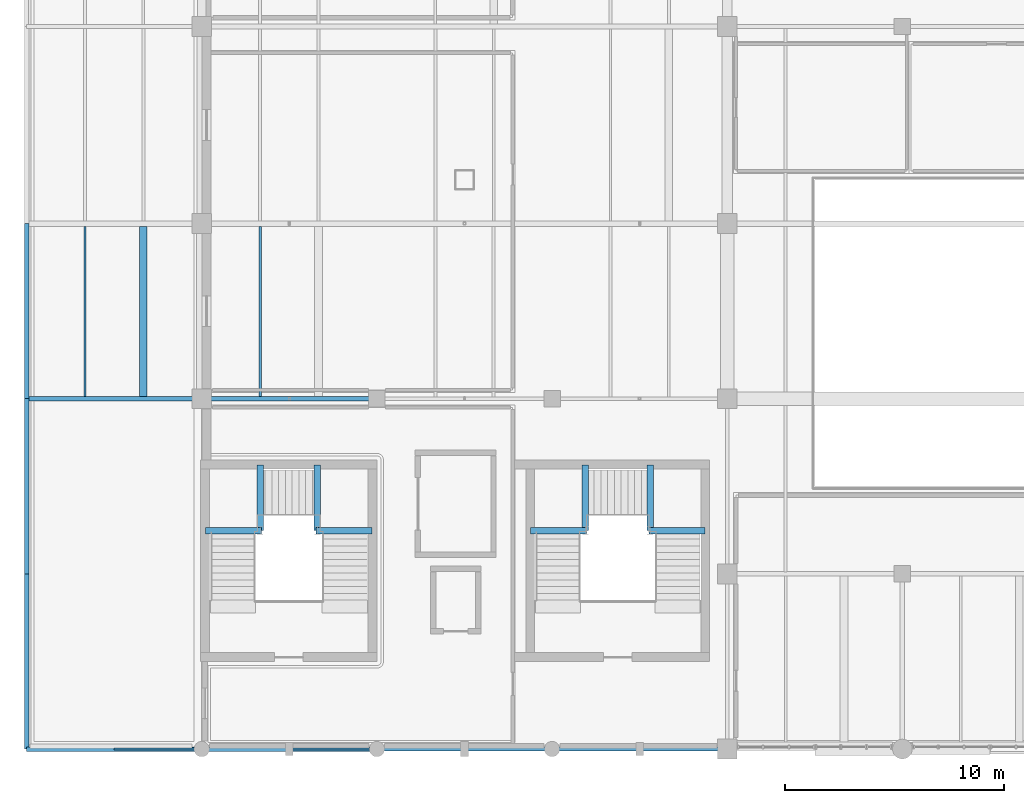
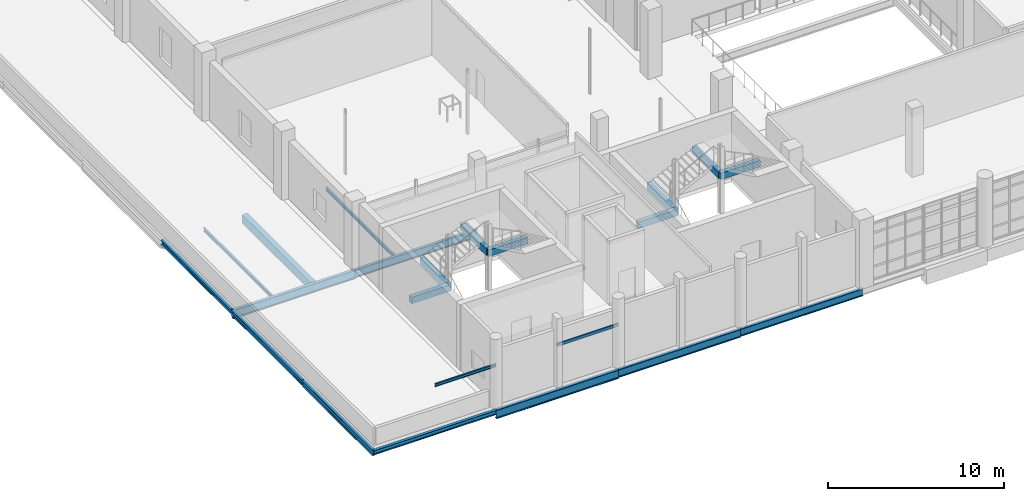
# One storey, part 13 of 127: 22 beams.
"""IFC4 building model written with IfcOpenShell, lengths in metres."""

from ifc_helpers import new_model, si_unit, derived_unit, direction, frame, origin, origin_2d, place, context, subcontext, project, spatial, rectangle, hollow_rectangle, i_section, extrude, material, material_profile, profile_set, type_object, element, save


model = new_model("IFC4")

# Units and contexts
model_context = context("Model", 3, precision=1e-05, world=origin(), true_north=direction((0.0, 1.0)))
body_context = subcontext(model_context, "Body", "Model", "MODEL_VIEW")
ifc_project = project(units=[si_unit("LENGTHUNIT", "METRE"), si_unit("AREAUNIT", "SQUARE_METRE"), si_unit("VOLUMEUNIT", "CUBIC_METRE"), si_unit("PLANEANGLEUNIT", "RADIAN"), si_unit("MASSUNIT", "GRAM", prefix="KILO"), derived_unit("THERMALTRANSMITTANCEUNIT", [(si_unit("POWERUNIT", "WATT"), 1), (si_unit("LENGTHUNIT", "METRE"), -2), (si_unit("THERMODYNAMICTEMPERATUREUNIT", "KELVIN"), -1)])], contexts=[model_context])

# Site, building, storey
site_placement = place(None, origin())
site = spatial("IfcSite", under=ifc_project, at=site_placement, CompositionType="ELEMENT")
building_placement = place(site_placement, origin())
building = spatial("IfcBuilding", under=site, at=building_placement, Name="Nallur Shell Playhouse", CompositionType="ELEMENT")
storey_placement = place(building_placement, frame((0.0, 0.0, 5.39990234375)))
storey = spatial("IfcBuildingStorey", under=building, at=storey_placement, Name="L02", CompositionType="ELEMENT", Elevation=5.39990234375)

# Beams
ifc_material_1 = material(Name="Steel E250", Category="steel")
ifc_material_profile_1 = material_profile(ifc_material_1, i_section(OverallWidth=0.110107421875, OverallDepth=0.22509765625, WebThickness=0.006591796875, FlangeThickness=0.01171875, FilletRadius=0.011962890625, at=origin_2d()), Name="ISMB 225")
ifc_profile_set_1 = profile_set([ifc_material_profile_1], Name="Steel E250")
beam_type_1 = type_object("IfcBeamType", Name="BM-JST-ISMB225", PredefinedType="JOIST", material=ifc_profile_set_1)
beam_1_placement = place(storey_placement, frame((10.666748046875, 24.10302734375, -0.392333984375), z_axis=(0.0, 1.0, 0.0), x_axis=(-1.0, 0.0, 0.0)))
element("IfcBeam", 1, at=beam_1_placement, inside=storey, type_object=beam_type_1, Name="L02 secondary joist 1-C-473", PredefinedType="JOIST", context=body_context, shape_type="SweptSolid", body=[
    extrude(i_section(OverallWidth=0.110107421875, OverallDepth=0.22509765625, WebThickness=0.006591796875, FlangeThickness=0.01171875, FilletRadius=0.011962890625, at=origin_2d()), origin(), (0.0, 0.0, 1.0), 7.77392578125),
])
beam_2_placement = place(storey_placement, frame((18.666748046875, 24.093017578125, -0.392333984375), z_axis=(0.0, 1.0, 0.0), x_axis=(-1.0, 0.0, 0.0)))
element("IfcBeam", 2, at=beam_2_placement, inside=storey, type_object=beam_type_1, Name="L02 secondary joist 2-C-485", PredefinedType="JOIST", context=body_context, shape_type="SweptSolid", body=[
    extrude(i_section(OverallWidth=0.110107421875, OverallDepth=0.22509765625, WebThickness=0.006591796875, FlangeThickness=0.01171875, FilletRadius=0.011962890625, at=origin_2d()), origin(), (0.0, 0.0, 1.0), 7.783935546875),
])
ifc_material_profile_2 = material_profile(ifc_material_1, i_section(OverallWidth=0.10009765625, OverallDepth=0.199951171875, WebThickness=0.005615234375, FlangeThickness=0.0107421875, FilletRadius=0.010986328125, at=origin_2d()), Name="ISMB 200")
ifc_profile_set_2 = profile_set([ifc_material_profile_2], Name="Steel E250")
beam_type_2 = type_object("IfcBeamType", Name="BM-LIN-ISMB200", PredefinedType="LINTEL", material=ifc_profile_set_2)
beam_3_placement = place(storey_placement, frame((12.0, 8.0, 2.800048828125), z_axis=(1.0, 0.0, 0.0), x_axis=(0.0, 1.0, 0.0)))
element("IfcBeam", 3, at=beam_3_placement, inside=storey, type_object=beam_type_2, Name="L02 colonnade portal lintel 007", PredefinedType="LINTEL", context=body_context, shape_type="SweptSolid", body=[
    extrude(i_section(OverallWidth=0.10009765625, OverallDepth=0.199951171875, WebThickness=0.005615234375, FlangeThickness=0.0107421875, FilletRadius=0.010986328125, at=origin_2d()), origin(), (0.0, 0.0, 1.0), 4.0),
])
ifc_material_profile_3 = material_profile(ifc_material_1, hollow_rectangle(XDim=0.10009765625, YDim=0.199951171875, WallThickness=0.008056640625, at=origin_2d()), Name="RHS 200x100x8")
ifc_profile_set_3 = profile_set([ifc_material_profile_3], Name="Steel E250")
beam_type_3 = type_object("IfcBeamType", Name="BM-LIN-RHS200", PredefinedType="LINTEL", material=ifc_profile_set_3)
beam_4_placement = place(storey_placement, frame((20.0, 8.0, 2.800048828125), z_axis=(1.0, 0.0, 0.0), x_axis=(0.0, 1.0, 0.0)))
element("IfcBeam", 4, at=beam_4_placement, inside=storey, type_object=beam_type_3, Name="L02 colonnade portal lintel 008", PredefinedType="LINTEL", context=body_context, shape_type="SweptSolid", body=[
    extrude(hollow_rectangle(XDim=0.10009765625, YDim=0.199951171875, WallThickness=0.008056640625, at=origin_2d()), origin(), (0.0, 0.0, 1.0), 4.0),
])
ifc_material_2 = material(Name="Concrete M30", Category="concrete")
ifc_material_profile_4 = material_profile(ifc_material_2, rectangle(XDim=0.35009765625, YDim=0.60009765625, at=origin_2d()), Name="RC 350x600")
ifc_profile_set_4 = profile_set([ifc_material_profile_4], Name="Concrete M30")
beam_type_4 = type_object("IfcBeamType", Name="BM-RC-350x600", PredefinedType="JOIST", material=ifc_profile_set_4)
beam_5_placement = place(storey_placement, frame((13.333251953125, 24.10302734375, -0.579833984375), z_axis=(0.0, 1.0, 0.0), x_axis=(-1.0, 0.0, 0.0)))
element("IfcBeam", 5, at=beam_5_placement, inside=storey, type_object=beam_type_4, Name="L02 secondary joist 1-C-474", PredefinedType="JOIST", context=body_context, shape_type="SweptSolid", body=[
    extrude(rectangle(XDim=0.35009765625, YDim=0.60009765625, at=origin_2d()), origin(), (0.0, 0.0, 1.0), 7.77392578125),
])
ifc_material_3 = material(Name="Concrete M35", Category="concrete")
ifc_material_profile_5 = material_profile(ifc_material_3, rectangle(XDim=0.300048828125, YDim=0.449951171875, at=origin_2d()), Name="RC 300x450")
ifc_profile_set_5 = profile_set([ifc_material_profile_5], Name="Concrete M35")
beam_type_5 = type_object("IfcBeamType", Name="BM-SPN-300x450", PredefinedType="SPANDREL", material=ifc_profile_set_5)
beam_6_placement = place(storey_placement, frame((31.02001953125, 17.97998046875, 1.22509765625), z_axis=(1.0, 0.0, 0.0), x_axis=(0.0, 1.0, 0.0)))
element("IfcBeam", 6, at=beam_6_placement, inside=storey, type_object=beam_type_5, Name="Stair ST-01-L02 L1 south bearer beam", PredefinedType="SPANDREL", context=body_context, shape_type="SweptSolid", body=[
    extrude(rectangle(XDim=0.300048828125, YDim=0.449951171875, at=origin_2d()), origin(), (0.0, 0.0, 1.0), 2.56005859375),
])
beam_7_placement = place(storey_placement, frame((33.52001953125, 17.97998046875, 1.22509765625), z_axis=(0.0, 1.0, 0.0), x_axis=(-1.0, 0.0, 0.0)))
element("IfcBeam", 7, at=beam_7_placement, inside=storey, type_object=beam_type_5, Name="Stair ST-01-L02 L1 east bearer beam", PredefinedType="SPANDREL", context=body_context, shape_type="SweptSolid", body=[
    extrude(rectangle(XDim=0.300048828125, YDim=0.449951171875, at=origin_2d()), origin(), (0.0, 0.0, 1.0), 3.0),
])
beam_8_placement = place(storey_placement, frame((36.419921875, 17.97998046875, 2.72509765625), z_axis=(1.0, 0.0, 0.0), x_axis=(0.0, 1.0, 0.0)))
element("IfcBeam", 8, at=beam_8_placement, inside=storey, type_object=beam_type_5, Name="Stair ST-01-L02 L2 south bearer beam", PredefinedType="SPANDREL", context=body_context, shape_type="SweptSolid", body=[
    extrude(rectangle(XDim=0.300048828125, YDim=0.449951171875, at=origin_2d()), origin(), (0.0, 0.0, 1.0), 2.56005859375),
])
beam_9_placement = place(storey_placement, frame((36.47998046875, 17.97998046875, 2.72509765625), z_axis=(0.0, 1.0, 0.0), x_axis=(-1.0, 0.0, 0.0)))
element("IfcBeam", 9, at=beam_9_placement, inside=storey, type_object=beam_type_5, Name="Stair ST-01-L02 L2 west bearer beam", PredefinedType="SPANDREL", context=body_context, shape_type="SweptSolid", body=[
    extrude(rectangle(XDim=0.300048828125, YDim=0.449951171875, at=origin_2d()), origin(), (0.0, 0.0, 1.0), 3.0),
])
beam_10_placement = place(storey_placement, frame((16.169921875, 17.97998046875, 1.22509765625), z_axis=(1.0, 0.0, 0.0), x_axis=(0.0, 1.0, 0.0)))
element("IfcBeam", 10, at=beam_10_placement, inside=storey, type_object=beam_type_5, Name="Stair ST-07-L02 L1 south bearer beam", PredefinedType="SPANDREL", context=body_context, shape_type="SweptSolid", body=[
    extrude(rectangle(XDim=0.300048828125, YDim=0.449951171875, at=origin_2d()), origin(), (0.0, 0.0, 1.0), 2.56005859375),
])
beam_11_placement = place(storey_placement, frame((18.669921875, 17.97998046875, 1.22509765625), z_axis=(0.0, 1.0, 0.0), x_axis=(-1.0, 0.0, 0.0)))
element("IfcBeam", 11, at=beam_11_placement, inside=storey, type_object=beam_type_5, Name="Stair ST-07-L02 L1 east bearer beam", PredefinedType="SPANDREL", context=body_context, shape_type="SweptSolid", body=[
    extrude(rectangle(XDim=0.300048828125, YDim=0.449951171875, at=origin_2d()), origin(), (0.0, 0.0, 1.0), 3.0),
])
beam_12_placement = place(storey_placement, frame((21.219970703125, 17.97998046875, 2.72509765625), z_axis=(1.0, 0.0, 0.0), x_axis=(0.0, 1.0, 0.0)))
element("IfcBeam", 12, at=beam_12_placement, inside=storey, type_object=beam_type_5, Name="Stair ST-07-L02 L2 south bearer beam", PredefinedType="SPANDREL", context=body_context, shape_type="SweptSolid", body=[
    extrude(rectangle(XDim=0.300048828125, YDim=0.449951171875, at=origin_2d()), origin(), (0.0, 0.0, 1.0), 2.56005859375),
])
beam_13_placement = place(storey_placement, frame((21.280029296875, 17.97998046875, 2.72509765625), z_axis=(0.0, 1.0, 0.0), x_axis=(-1.0, 0.0, 0.0)))
element("IfcBeam", 13, at=beam_13_placement, inside=storey, type_object=beam_type_5, Name="Stair ST-07-L02 L2 west bearer beam", PredefinedType="SPANDREL", context=body_context, shape_type="SweptSolid", body=[
    extrude(rectangle(XDim=0.300048828125, YDim=0.449951171875, at=origin_2d()), origin(), (0.0, 0.0, 1.0), 3.0),
])
ifc_material_4 = material(Name="Steel E350", Category="steel")
ifc_material_profile_6 = material_profile(ifc_material_4, i_section(OverallWidth=0.179931640625, OverallDepth=0.5, WebThickness=0.01025390625, FlangeThickness=0.01708984375, FilletRadius=0.01708984375, at=origin_2d()), Name="ISMB 500")
ifc_profile_set_6 = profile_set([ifc_material_profile_6], Name="Steel E350")
beam_type_6 = type_object("IfcBeamType", Name="BM-ST-ISMB500", PredefinedType="BEAM", material=ifc_profile_set_6)
beam_14_placement = place(storey_placement, frame((32.0, 8.0, -0.52978515625), z_axis=(1.0, 0.0, 0.0), x_axis=(0.0, 1.0, 0.0)))
element("IfcBeam", 14, at=beam_14_placement, inside=storey, type_object=beam_type_6, Name="L02 girder X-A-314", PredefinedType="BEAM", context=body_context, shape_type="SweptSolid", body=[
    extrude(i_section(OverallWidth=0.179931640625, OverallDepth=0.5, WebThickness=0.01025390625, FlangeThickness=0.01708984375, FilletRadius=0.01708984375, at=origin_2d()), origin(), (0.0, 0.0, 1.0), 8.0),
])
ifc_material_profile_7 = material_profile(ifc_material_4, i_section(OverallWidth=0.18994140625, OverallDepth=0.550048828125, WebThickness=0.01123046875, FlangeThickness=0.019287109375, FilletRadius=0.01806640625, at=origin_2d()), Name="ISMB 550")
ifc_profile_set_7 = profile_set([ifc_material_profile_7], Name="Steel E350")
beam_type_7 = type_object("IfcBeamType", Name="BM-ST-ISMB550", PredefinedType="BEAM", material=ifc_profile_set_7)
for number, where, z_axis, x_axis, name in (
    (15, (24.0, 8.0, -0.554931640625), (1.0, 0.0, 0.0), (0.0, 1.0, 0.0), "L02 girder X-A-313"),
    (16, (16.0, 24.0, -0.554931640625), (1.0, 0.0, 0.0), (0.0, 1.0, 0.0), "L02 girder X-C-329"),
):
    element("IfcBeam", number, at=place(storey_placement, frame(where, z_axis=z_axis, x_axis=x_axis)), inside=storey, type_object=beam_type_7, Name=name, PredefinedType="BEAM", context=body_context, shape_type="SweptSolid", body=[
        extrude(i_section(OverallWidth=0.18994140625, OverallDepth=0.550048828125, WebThickness=0.01123046875, FlangeThickness=0.019287109375, FilletRadius=0.01806640625, at=origin_2d()), origin(), (0.0, 0.0, 1.0), 8.0),
    ])
ifc_material_profile_8 = material_profile(ifc_material_4, i_section(OverallWidth=0.2099609375, OverallDepth=0.60009765625, WebThickness=0.011962890625, FlangeThickness=0.020751953125, FilletRadius=0.02001953125, at=origin_2d()), Name="ISMB 600")
ifc_profile_set_8 = profile_set([ifc_material_profile_8], Name="Steel E350")
beam_type_8 = type_object("IfcBeamType", Name="BM-ST-ISMB600", PredefinedType="BEAM", material=ifc_profile_set_8)
for number, where, z_axis, x_axis, name in (
    (17, (16.0, 8.0, -0.579833984375), (1.0, 0.0, 0.0), (0.0, 1.0, 0.0), "L02 girder X-A-312"),
    (18, (8.0, 24.0, -0.579833984375), (1.0, 0.0, 0.0), (0.0, 1.0, 0.0), "L02 girder X-C-328"),
):
    element("IfcBeam", number, at=place(storey_placement, frame(where, z_axis=z_axis, x_axis=x_axis)), inside=storey, type_object=beam_type_8, Name=name, PredefinedType="BEAM", context=body_context, shape_type="SweptSolid", body=[
        extrude(i_section(OverallWidth=0.2099609375, OverallDepth=0.60009765625, WebThickness=0.011962890625, FlangeThickness=0.020751953125, FilletRadius=0.02001953125, at=origin_2d()), origin(), (0.0, 0.0, 1.0), 8.0),
    ])
ifc_material_profile_9 = material_profile(ifc_material_1, i_section(OverallWidth=0.199951171875, OverallDepth=0.300048828125, WebThickness=0.00732421875, FlangeThickness=0.010009765625, FilletRadius=0.010986328125, at=origin_2d()), Name="ISWB 300")
ifc_profile_set_9 = profile_set([ifc_material_profile_9], Name="Steel E250")
beam_type_9 = type_object("IfcBeamType", Name="BM-ST-ISWB300", PredefinedType="BEAM", material=ifc_profile_set_9)
for number, where, z_axis, x_axis, name in (
    (19, (8.0, 8.0, -0.429931640625), (1.0, 0.0, 0.0), (0.0, 1.0, 0.0), "L02 girder X-A-311"),
    (20, (8.0, 24.0, -0.429931640625), (0.0, 1.0, 0.0), (-1.0, 0.0, 0.0), "L02 girder Y-1-391"),
):
    element("IfcBeam", number, at=place(storey_placement, frame(where, z_axis=z_axis, x_axis=x_axis)), inside=storey, type_object=beam_type_9, Name=name, PredefinedType="BEAM", context=body_context, shape_type="SweptSolid", body=[
        extrude(i_section(OverallWidth=0.199951171875, OverallDepth=0.300048828125, WebThickness=0.00732421875, FlangeThickness=0.010009765625, FilletRadius=0.010986328125, at=origin_2d()), origin(), (0.0, 0.0, 1.0), 8.0),
    ])
ifc_material_profile_10 = material_profile(ifc_material_4, i_section(OverallWidth=0.199951171875, OverallDepth=0.35009765625, WebThickness=0.008056640625, FlangeThickness=0.011474609375, FilletRadius=0.011962890625, at=origin_2d()), Name="ISWB 350")
ifc_profile_set_10 = profile_set([ifc_material_profile_10], Name="Steel E350")
beam_type_10 = type_object("IfcBeamType", Name="BM-ST-ISWB350", PredefinedType="BEAM", material=ifc_profile_set_10)
beam_15_placement = place(storey_placement, frame((8.0, 16.0, -0.454833984375), z_axis=(0.0, 1.0, 0.0), x_axis=(-1.0, 0.0, 0.0)))
element("IfcBeam", 21, at=beam_15_placement, inside=storey, type_object=beam_type_10, Name="L02 girder Y-1-390", PredefinedType="BEAM", context=body_context, shape_type="SweptSolid", body=[
    extrude(i_section(OverallWidth=0.199951171875, OverallDepth=0.35009765625, WebThickness=0.008056640625, FlangeThickness=0.011474609375, FilletRadius=0.011962890625, at=origin_2d()), origin(), (0.0, 0.0, 1.0), 8.0),
])
ifc_material_profile_11 = material_profile(ifc_material_4, i_section(OverallWidth=0.199951171875, OverallDepth=0.39990234375, WebThickness=0.008544921875, FlangeThickness=0.012939453125, FilletRadius=0.012939453125, at=origin_2d()), Name="ISWB 400")
ifc_profile_set_11 = profile_set([ifc_material_profile_11], Name="Steel E350")
beam_type_11 = type_object("IfcBeamType", Name="BM-ST-ISWB400", PredefinedType="BEAM", material=ifc_profile_set_11)
beam_16_placement = place(storey_placement, frame((8.0, 8.0, -0.47998046875), z_axis=(0.0, 1.0, 0.0), x_axis=(-1.0, 0.0, 0.0)))
element("IfcBeam", 22, at=beam_16_placement, inside=storey, type_object=beam_type_11, Name="L02 girder Y-1-389", PredefinedType="BEAM", context=body_context, shape_type="SweptSolid", body=[
    extrude(i_section(OverallWidth=0.199951171875, OverallDepth=0.39990234375, WebThickness=0.008544921875, FlangeThickness=0.012939453125, FilletRadius=0.012939453125, at=origin_2d()), origin(), (0.0, 0.0, 1.0), 8.0),
])

save(model, "model.ifc")
